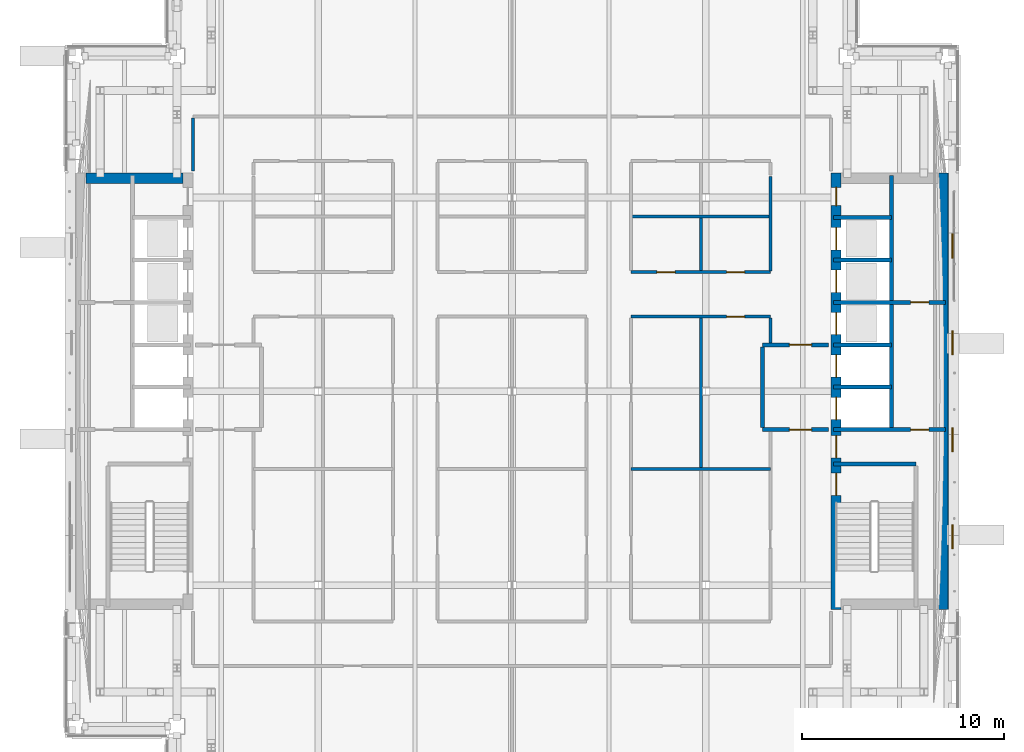
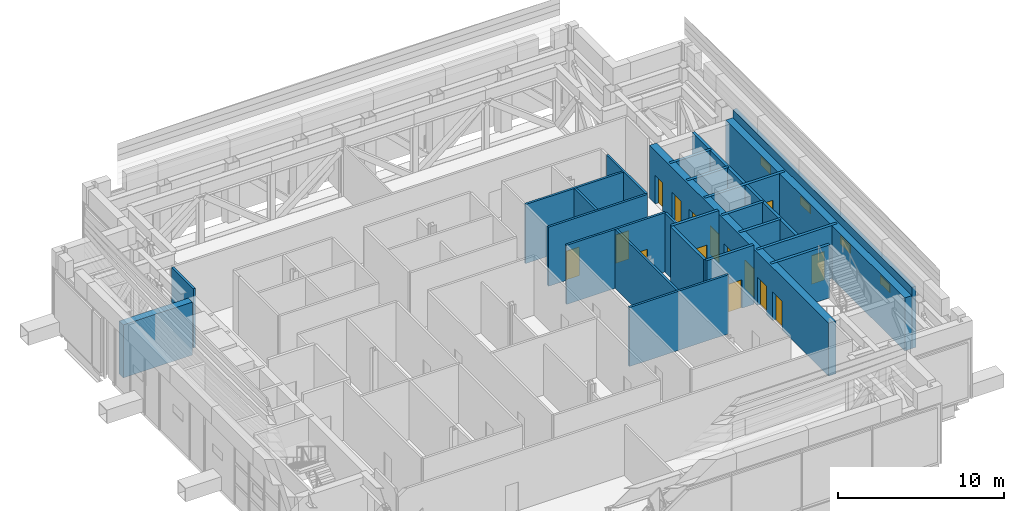
# One storey, part 13 of 29: 25 walls, 15 doors, 4 windows, 19 openings.
"""IFC4 building model written with IfcOpenShell, lengths in metres."""

from ifc_helpers import new_model, si_unit, direction, frame, frame_2d, origin, place, context, subcontext, project, spatial, rectangle, extrude, material, layer, layer_set, type_object, element, fill, save


model = new_model("IFC4")

# Units and contexts
model_context = context("Model", 3, precision=1e-05, world=origin(), true_north=direction((0.0, 1.0)))
body_context = subcontext(model_context, "Body", "Model", "MODEL_VIEW")
ifc_project = project(units=[si_unit("LENGTHUNIT", "METRE"), si_unit("AREAUNIT", "SQUARE_METRE"), si_unit("VOLUMEUNIT", "CUBIC_METRE"), si_unit("PLANEANGLEUNIT", "RADIAN"), si_unit("MASSUNIT", "GRAM", prefix="KILO")], contexts=[model_context])

# Site, building, storey
site_placement = place(None, origin())
site = spatial("IfcSite", under=ifc_project, at=site_placement, CompositionType="ELEMENT")
building_placement = place(site_placement, origin())
building = spatial("IfcBuilding", under=site, at=building_placement, Name="Cobrizo Arcos Hotel Tower", CompositionType="ELEMENT")
storey_placement = place(building_placement, frame((0.0, 0.0, 186.5)))
storey = spatial("IfcBuildingStorey", under=building, at=storey_placement, Name="L48", CompositionType="ELEMENT", Elevation=186.5)

# Wall
ifc_material_1 = material(Name="Gypsum board partition")
ifc_layer_1 = layer(ifc_material_1, 0.14990234375)
ifc_layer_set_1 = layer_set([ifc_layer_1], Name="Corridor wall EI 60 150")
wall_type_1 = type_object("IfcWallType", Name="Corridor wall EI 60 150", PredefinedType="PARTITIONING", material=ifc_layer_set_1)
wall_1_placement = place(storey_placement, frame((5.89990234375, -3.85009765625, 0.0), z_axis=(0.0, 0.0, 1.0), x_axis=(1.0, 0.0, 0.0)))
element("IfcWall", 1, at=wall_1_placement, inside=storey, type_object=wall_type_1, Name="Partition 007", PredefinedType="PARTITIONING", context=body_context, shape_type="SweptSolid", body=[
    extrude(rectangle(XDim=6.900146484375, YDim=0.14990234375, at=frame_2d((3.4501953125, 0.0))), origin(), (0.0, 0.0, 1.0), 4.35009765625),
])

# Wall, opening, door
wall_2_placement = place(storey_placement, frame((5.89990234375, 3.699951171875, 0.0), z_axis=(0.0, 0.0, 1.0), x_axis=(1.0, 0.0, 0.0)))
wall_2 = element("IfcWall", 2, at=wall_2_placement, inside=storey, type_object=wall_type_1, Name="Partition 022", PredefinedType="PARTITIONING", context=body_context, shape_type="SweptSolid", body=[
    extrude(rectangle(XDim=6.900146484375, YDim=0.14990234375, at=frame_2d((3.4501953125, 0.0))), origin(), (0.0, 0.0, 1.0), 4.35009765625),
])
opening_1_placement = place(wall_2_placement, frame((4.72509765625, 0.0, 0.0)))
opening_1 = element("IfcOpeningElement", 3, at=opening_1_placement, cuts=wall_2, Name="Opening RD-12", PredefinedType="OPENING", context=body_context, shape_type="SweptSolid", body=[
    extrude(rectangle(XDim=0.89990234375, YDim=2.10009765625, at=frame_2d((0.449951171875, 1.050048828125))), frame((0.0, 0.0869140625, 0.0), z_axis=(0.0, -1.0, 0.0), x_axis=(1.0, 0.0, 0.0)), (0.0, 0.0, 1.0), 0.173828125),
])
ifc_material_2 = material(Name="Timber door leaf", Category="wood")
door_type_1 = type_object("IfcDoorType", Name="Room door FD30 900x2100", OperationType="SINGLE_SWING_LEFT", PredefinedType="DOOR", material=ifc_material_2)
door_1_placement = place(opening_1_placement, origin())
door_1 = element("IfcDoor", 4, at=door_1_placement, inside=storey, type_object=door_type_1, Name="Door RD-12", OperationType="SINGLE_SWING_LEFT", OverallHeight=2.10009765625, OverallWidth=0.89990234375, PredefinedType="DOOR", context=body_context, shape_type="SweptSolid", body=[
    extrude(rectangle(XDim=0.89990234375, YDim=2.10009765625, at=frame_2d((0.449951171875, 1.050048828125))), frame((0.0, 0.02490234375, 0.0), z_axis=(0.0, -1.0, 0.0), x_axis=(1.0, 0.0, 0.0)), (0.0, 0.0, 1.0), 0.050048828125),
])
fill(opening_1, door_1)

# Wall, openings, doors
wall_3_placement = place(storey_placement, frame((5.89990234375, 5.89990234375, 0.0), z_axis=(0.0, 0.0, 1.0), x_axis=(1.0, 0.0, 0.0)))
wall_3 = element("IfcWall", 5, at=wall_3_placement, inside=storey, type_object=wall_type_1, Name="Partition 027", PredefinedType="PARTITIONING", context=body_context, shape_type="SweptSolid", body=[
    extrude(rectangle(XDim=6.900146484375, YDim=0.14990234375, at=frame_2d((3.4501953125, 0.0))), origin(), (0.0, 0.0, 1.0), 4.35009765625),
])
opening_2_placement = place(wall_3_placement, frame((1.27490234375, 0.0, 0.0)))
opening_2 = element("IfcOpeningElement", 6, at=opening_2_placement, cuts=wall_3, Name="Opening RD-13", PredefinedType="OPENING", context=body_context, shape_type="SweptSolid", body=[
    extrude(rectangle(XDim=0.89990234375, YDim=2.10009765625, at=frame_2d((0.449951171875, 1.050048828125))), frame((0.0, 0.0869140625, 0.0), z_axis=(0.0, -1.0, 0.0), x_axis=(1.0, 0.0, 0.0)), (0.0, 0.0, 1.0), 0.173828125),
])
opening_3_placement = place(wall_3_placement, frame((4.72509765625, 0.0, 0.0)))
opening_3 = element("IfcOpeningElement", 7, at=opening_3_placement, cuts=wall_3, Name="Opening RD-15", PredefinedType="OPENING", context=body_context, shape_type="SweptSolid", body=[
    extrude(rectangle(XDim=0.89990234375, YDim=2.10009765625, at=frame_2d((0.449951171875, 1.050048828125))), frame((0.0, 0.0869140625, 0.0), z_axis=(0.0, -1.0, 0.0), x_axis=(1.0, 0.0, 0.0)), (0.0, 0.0, 1.0), 0.173828125),
])
door_2_placement = place(opening_2_placement, origin())
door_2 = element("IfcDoor", 8, at=door_2_placement, inside=storey, type_object=door_type_1, Name="Door RD-13", OperationType="SINGLE_SWING_RIGHT", OverallHeight=2.10009765625, OverallWidth=0.89990234375, PredefinedType="DOOR", context=body_context, shape_type="SweptSolid", body=[
    extrude(rectangle(XDim=0.89990234375, YDim=2.10009765625, at=frame_2d((0.449951171875, 1.050048828125))), frame((0.0, 0.02490234375, 0.0), z_axis=(0.0, -1.0, 0.0), x_axis=(1.0, 0.0, 0.0)), (0.0, 0.0, 1.0), 0.050048828125),
])
fill(opening_2, door_2)
door_3_placement = place(opening_3_placement, origin())
door_3 = element("IfcDoor", 9, at=door_3_placement, inside=storey, type_object=door_type_1, Name="Door RD-15", OperationType="SINGLE_SWING_RIGHT", OverallHeight=2.10009765625, OverallWidth=0.89990234375, PredefinedType="DOOR", context=body_context, shape_type="SweptSolid", body=[
    extrude(rectangle(XDim=0.89990234375, YDim=2.10009765625, at=frame_2d((0.449951171875, 1.050048828125))), frame((0.0, 0.02490234375, 0.0), z_axis=(0.0, -1.0, 0.0), x_axis=(1.0, 0.0, 0.0)), (0.0, 0.0, 1.0), 0.050048828125),
])
fill(opening_3, door_3)

# Walls
wall_4_placement = place(storey_placement, frame((5.89990234375, 8.64990234375, 0.0), z_axis=(0.0, 0.0, 1.0), x_axis=(1.0, 0.0, 0.0)))
element("IfcWall", 10, at=wall_4_placement, inside=storey, type_object=wall_type_1, Name="Partition 034", PredefinedType="PARTITIONING", context=body_context, shape_type="SweptSolid", body=[
    extrude(rectangle(XDim=6.900146484375, YDim=0.14990234375, at=frame_2d((3.4501953125, 0.0))), origin(), (0.0, 0.0, 1.0), 4.35009765625),
])
wall_5_placement = place(storey_placement, frame((-15.800048828125, 10.919921875, 0.0), z_axis=(0.0, 0.0, 1.0), x_axis=(0.0, 1.0, 0.0)))
element("IfcWall", 11, at=wall_5_placement, inside=storey, type_object=wall_type_1, Name="Partition 044", PredefinedType="PARTITIONING", context=body_context, shape_type="SweptSolid", body=[
    extrude(rectangle(XDim=2.60498046875, YDim=0.14990234375, at=frame_2d((1.302490234375, 0.0))), origin(), (0.0, 0.0, 1.0), 4.35009765625),
])
wall_6_placement = place(storey_placement, frame((9.35009765625, -3.77490234375, 0.0), z_axis=(0.0, 0.0, 1.0), x_axis=(0.0, 1.0, 0.0)))
element("IfcWall", 12, at=wall_6_placement, inside=storey, type_object=wall_type_1, Name="Partition 077", PredefinedType="PARTITIONING", context=body_context, shape_type="SweptSolid", body=[
    extrude(rectangle(XDim=7.39990234375, YDim=0.14990234375, at=frame_2d((3.699951171875, 0.0))), origin(), (0.0, 0.0, 1.0), 4.35009765625),
])
wall_7_placement = place(storey_placement, frame((9.35009765625, 5.97509765625, 0.0), z_axis=(0.0, 0.0, 1.0), x_axis=(0.0, 1.0, 0.0)))
element("IfcWall", 13, at=wall_7_placement, inside=storey, type_object=wall_type_1, Name="Partition 078", PredefinedType="PARTITIONING", context=body_context, shape_type="SweptSolid", body=[
    extrude(rectangle(XDim=2.599853515625, YDim=0.14990234375, at=frame_2d((1.2998046875, 0.0))), origin(), (0.0, 0.0, 1.0), 4.35009765625),
])
wall_8_placement = place(storey_placement, frame((12.800048828125, 2.39990234375, 0.0), z_axis=(0.0, 0.0, 1.0), x_axis=(0.0, 1.0, 0.0)))
element("IfcWall", 14, at=wall_8_placement, inside=storey, type_object=wall_type_1, Name="Partition 082", PredefinedType="PARTITIONING", context=body_context, shape_type="SweptSolid", body=[
    extrude(rectangle(XDim=1.22509765625, YDim=0.14990234375, at=frame_2d((0.612548828125, 0.0))), origin(), (0.0, 0.0, 1.0), 4.35009765625),
])
wall_9_placement = place(storey_placement, frame((12.800048828125, 5.949951171875, 0.0), z_axis=(0.0, 0.0, 1.0), x_axis=(0.0, 1.0, 0.0)))
element("IfcWall", 15, at=wall_9_placement, inside=storey, type_object=wall_type_1, Name="Partition 083", PredefinedType="PARTITIONING", context=body_context, shape_type="SweptSolid", body=[
    extrude(rectangle(XDim=4.699951171875, YDim=0.14990234375, at=frame_2d((2.35009765625, 0.0))), origin(), (0.0, 0.0, 1.0), 4.35009765625),
])

# Wall, openings, windows
ifc_material_3 = material(Name="Aluminium composite panel pale metal", Category="aluminium")
ifc_layer_2 = layer(ifc_material_3, 0.27490234375)
ifc_layer_set_2 = layer_set([ifc_layer_2], Name="EW-1 insulated panel wall 275")
wall_type_2 = type_object("IfcWallType", Name="EW-1 insulated panel wall 275", PredefinedType="SOLIDWALL", material=ifc_layer_set_2)
wall_10_placement = place(storey_placement, frame((21.737548828125, -10.800048828125, 0.0), z_axis=(0.0, 0.0, 1.0), x_axis=(0.0, 1.0, 0.0)))
wall_10 = element("IfcWall", 16, at=wall_10_placement, inside=storey, type_object=wall_type_2, Name="Core face wall L48 E", PredefinedType="SOLIDWALL", context=body_context, shape_type="SweptSolid", body=[
    extrude(rectangle(XDim=21.60009765625, YDim=0.27490234375, at=frame_2d((10.800048828125, 0.0))), origin(), (0.0, 0.0, 1.0), 4.5),
])
opening_4_placement = place(wall_10_placement, frame((3.0, 0.0, 2.199951171875)))
opening_4 = element("IfcOpeningElement", 17, at=opening_4_placement, cuts=wall_10, Name="Opening W-103", PredefinedType="OPENING", context=body_context, shape_type="SweptSolid", body=[
    extrude(rectangle(XDim=1.199951171875, YDim=0.60009765625, at=frame_2d((0.60009765625, 0.300048828125))), frame((0.0, 0.1494140625, 0.0), z_axis=(0.0, -1.0, 0.0), x_axis=(1.0, 0.0, 0.0)), (0.0, 0.0, 1.0), 0.298828125),
])
opening_5_placement = place(wall_10_placement, frame((7.800048828125, 0.0, 2.199951171875)))
opening_5 = element("IfcOpeningElement", 18, at=opening_5_placement, cuts=wall_10, Name="Opening W-104", PredefinedType="OPENING", context=body_context, shape_type="SweptSolid", body=[
    extrude(rectangle(XDim=1.199951171875, YDim=0.60009765625, at=frame_2d((0.60009765625, 0.300048828125))), frame((0.0, 0.1494140625, 0.0), z_axis=(0.0, -1.0, 0.0), x_axis=(1.0, 0.0, 0.0)), (0.0, 0.0, 1.0), 0.298828125),
])
opening_6_placement = place(wall_10_placement, frame((12.60009765625, 0.0, 2.199951171875)))
opening_6 = element("IfcOpeningElement", 19, at=opening_6_placement, cuts=wall_10, Name="Opening W-105", PredefinedType="OPENING", context=body_context, shape_type="SweptSolid", body=[
    extrude(rectangle(XDim=1.199951171875, YDim=0.60009765625, at=frame_2d((0.60009765625, 0.300048828125))), frame((0.0, 0.1494140625, 0.0), z_axis=(0.0, -1.0, 0.0), x_axis=(1.0, 0.0, 0.0)), (0.0, 0.0, 1.0), 0.298828125),
])
opening_7_placement = place(wall_10_placement, frame((17.39990234375, 0.0, 2.199951171875)))
opening_7 = element("IfcOpeningElement", 20, at=opening_7_placement, cuts=wall_10, Name="Opening W-106", PredefinedType="OPENING", context=body_context, shape_type="SweptSolid", body=[
    extrude(rectangle(XDim=1.199951171875, YDim=0.60009765625, at=frame_2d((0.60009765625, 0.300048828125))), frame((0.0, 0.1494140625, 0.0), z_axis=(0.0, -1.0, 0.0), x_axis=(1.0, 0.0, 0.0)), (0.0, 0.0, 1.0), 0.298828125),
])
ifc_material_4 = material(Name="Aluminium 6063-T6 and clear laminated glass", Category="aluminium")
window_type = type_object("IfcWindowType", Name="W-S1 plant smoke-vent window 1200x600", PartitioningType="SINGLE_PANEL", PredefinedType="WINDOW", material=ifc_material_4)
window_1_placement = place(opening_4_placement, origin())
window_1 = element("IfcWindow", 21, at=window_1_placement, inside=storey, type_object=window_type, Name="Core face wall L48 E window W-103", OverallHeight=0.60009765625, OverallWidth=1.199951171875, PartitioningType="SINGLE_PANEL", PredefinedType="WINDOW", context=body_context, shape_type="SweptSolid", body=[
    extrude(rectangle(XDim=1.199951171875, YDim=0.60009765625, at=frame_2d((0.60009765625, 0.300048828125))), frame((0.0, -0.04736328125, 0.0), z_axis=(0.0, -1.0, 0.0), x_axis=(1.0, 0.0, 0.0)), (0.0, 0.0, 1.0), 0.06005859375),
])
fill(opening_4, window_1)
window_2_placement = place(opening_5_placement, origin())
window_2 = element("IfcWindow", 22, at=window_2_placement, inside=storey, type_object=window_type, Name="Core face wall L48 E window W-104", OverallHeight=0.60009765625, OverallWidth=1.199951171875, PartitioningType="SINGLE_PANEL", PredefinedType="WINDOW", context=body_context, shape_type="SweptSolid", body=[
    extrude(rectangle(XDim=1.199951171875, YDim=0.60009765625, at=frame_2d((0.60009765625, 0.300048828125))), frame((0.0, -0.04736328125, 0.0), z_axis=(0.0, -1.0, 0.0), x_axis=(1.0, 0.0, 0.0)), (0.0, 0.0, 1.0), 0.06005859375),
])
fill(opening_5, window_2)
window_3_placement = place(opening_6_placement, origin())
window_3 = element("IfcWindow", 23, at=window_3_placement, inside=storey, type_object=window_type, Name="Core face wall L48 E window W-105", OverallHeight=0.60009765625, OverallWidth=1.199951171875, PartitioningType="SINGLE_PANEL", PredefinedType="WINDOW", context=body_context, shape_type="SweptSolid", body=[
    extrude(rectangle(XDim=1.199951171875, YDim=0.60009765625, at=frame_2d((0.60009765625, 0.300048828125))), frame((0.0, -0.04736328125, 0.0), z_axis=(0.0, -1.0, 0.0), x_axis=(1.0, 0.0, 0.0)), (0.0, 0.0, 1.0), 0.06005859375),
])
fill(opening_6, window_3)
window_4_placement = place(opening_7_placement, origin())
window_4 = element("IfcWindow", 24, at=window_4_placement, inside=storey, type_object=window_type, Name="Core face wall L48 E window W-106", OverallHeight=0.60009765625, OverallWidth=1.199951171875, PartitioningType="SINGLE_PANEL", PredefinedType="WINDOW", context=body_context, shape_type="SweptSolid", body=[
    extrude(rectangle(XDim=1.199951171875, YDim=0.60009765625, at=frame_2d((0.60009765625, 0.300048828125))), frame((0.0, -0.04736328125, 0.0), z_axis=(0.0, -1.0, 0.0), x_axis=(1.0, 0.0, 0.0)), (0.0, 0.0, 1.0), 0.06005859375),
])
fill(opening_7, window_4)

# Wall, openings, doors
ifc_material_5 = material(Name="Concrete f'c 50 MPa", Category="concrete")
ifc_layer_3 = layer(ifc_material_5, 0.5)
ifc_layer_set_3 = layer_set([ifc_layer_3], Name="RC core wall 500 f'c 50")
wall_type_3 = type_object("IfcWallType", Name="RC core wall 500 f'c 50", PredefinedType="SHEAR", material=ifc_layer_set_3)
wall_11_placement = place(storey_placement, frame((16.050048828125, -10.800048828125, 0.0), z_axis=(0.0, 0.0, 1.0), x_axis=(0.0, 1.0, 0.0)))
wall_11 = element("IfcWall", 25, at=wall_11_placement, inside=storey, type_object=wall_type_3, Name="Core wall CW3, east core, inner face, L48", PredefinedType="SHEAR", context=body_context, shape_type="SweptSolid", body=[
    extrude(rectangle(XDim=21.60009765625, YDim=0.5, at=frame_2d((10.800048828125, 0.0))), origin(), (0.0, 0.0, 1.0), 3.89990234375),
])
opening_8_placement = place(wall_11_placement, frame((9.39990234375, 0.0, 0.0)))
opening_8 = element("IfcOpeningElement", 26, at=opening_8_placement, cuts=wall_11, Name="Opening LD-06", PredefinedType="OPENING", context=body_context, shape_type="SweptSolid", body=[
    extrude(rectangle(XDim=1.10009765625, YDim=2.10009765625, at=frame_2d((0.550048828125, 1.050048828125))), frame((0.0, 0.261962890625, 0.0), z_axis=(0.0, -1.0, 0.0), x_axis=(1.0, 0.0, 0.0)), (0.0, 0.0, 1.0), 0.52392578125),
])
opening_9_placement = place(wall_11_placement, frame((11.5, 0.0, 0.0)))
opening_9 = element("IfcOpeningElement", 27, at=opening_9_placement, cuts=wall_11, Name="Opening LD-07", PredefinedType="OPENING", context=body_context, shape_type="SweptSolid", body=[
    extrude(rectangle(XDim=1.10009765625, YDim=2.10009765625, at=frame_2d((0.550048828125, 1.050048828125))), frame((0.0, 0.261962890625, 0.0), z_axis=(0.0, -1.0, 0.0), x_axis=(1.0, 0.0, 0.0)), (0.0, 0.0, 1.0), 0.52392578125),
])
opening_10_placement = place(wall_11_placement, frame((13.60009765625, 0.0, 0.0)))
opening_10 = element("IfcOpeningElement", 28, at=opening_10_placement, cuts=wall_11, Name="Opening LD-08", PredefinedType="OPENING", context=body_context, shape_type="SweptSolid", body=[
    extrude(rectangle(XDim=1.10009765625, YDim=2.10009765625, at=frame_2d((0.550048828125, 1.050048828125))), frame((0.0, 0.261962890625, 0.0), z_axis=(0.0, -1.0, 0.0), x_axis=(1.0, 0.0, 0.0)), (0.0, 0.0, 1.0), 0.52392578125),
])
opening_11_placement = place(wall_11_placement, frame((15.699951171875, 0.0, 0.0)))
opening_11 = element("IfcOpeningElement", 29, at=opening_11_placement, cuts=wall_11, Name="Opening LD-09", PredefinedType="OPENING", context=body_context, shape_type="SweptSolid", body=[
    extrude(rectangle(XDim=1.10009765625, YDim=2.10009765625, at=frame_2d((0.550048828125, 1.050048828125))), frame((0.0, 0.261962890625, 0.0), z_axis=(0.0, -1.0, 0.0), x_axis=(1.0, 0.0, 0.0)), (0.0, 0.0, 1.0), 0.52392578125),
])
opening_12_placement = place(wall_11_placement, frame((17.800048828125, 0.0, 0.0)))
opening_12 = element("IfcOpeningElement", 30, at=opening_12_placement, cuts=wall_11, Name="Opening LD-10", PredefinedType="OPENING", context=body_context, shape_type="SweptSolid", body=[
    extrude(rectangle(XDim=1.10009765625, YDim=2.10009765625, at=frame_2d((0.550048828125, 1.050048828125))), frame((0.0, 0.261962890625, 0.0), z_axis=(0.0, -1.0, 0.0), x_axis=(1.0, 0.0, 0.0)), (0.0, 0.0, 1.0), 0.52392578125),
])
opening_13_placement = place(wall_11_placement, frame((5.64208984375, 0.0, 0.0)))
opening_13 = element("IfcOpeningElement", 31, at=opening_13_placement, cuts=wall_11, Name="Opening SD-02", PredefinedType="OPENING", context=body_context, shape_type="SweptSolid", body=[
    extrude(rectangle(XDim=1.10009765625, YDim=2.10009765625, at=frame_2d((0.550048828125, 1.050048828125))), frame((0.0, 0.261962890625, 0.0), z_axis=(0.0, -1.0, 0.0), x_axis=(1.0, 0.0, 0.0)), (0.0, 0.0, 1.0), 0.52392578125),
])
opening_14_placement = place(wall_11_placement, frame((7.5, 0.0, 0.0)))
opening_14 = element("IfcOpeningElement", 32, at=opening_14_placement, cuts=wall_11, Name="Opening FD-04", PredefinedType="OPENING", context=body_context, shape_type="SweptSolid", body=[
    extrude(rectangle(XDim=1.10009765625, YDim=2.10009765625, at=frame_2d((0.550048828125, 1.050048828125))), frame((0.0, 0.261962890625, 0.0), z_axis=(0.0, -1.0, 0.0), x_axis=(1.0, 0.0, 0.0)), (0.0, 0.0, 1.0), 0.52392578125),
])
opening_15_placement = place(wall_11_placement, frame((20.0, 0.0, 0.0)))
opening_15 = element("IfcOpeningElement", 33, at=opening_15_placement, cuts=wall_11, Name="Opening RD-04", PredefinedType="OPENING", context=body_context, shape_type="SweptSolid", body=[
    extrude(rectangle(XDim=0.89990234375, YDim=2.10009765625, at=frame_2d((0.449951171875, 1.050048828125))), frame((0.0, 0.261962890625, 0.0), z_axis=(0.0, -1.0, 0.0), x_axis=(1.0, 0.0, 0.0)), (0.0, 0.0, 1.0), 0.52392578125),
])
ifc_material_6 = material(Name="Steel door leaf", Category="steel")
door_type_2 = type_object("IfcDoorType", Name="Fire door FD60 1100x2100", OperationType="SINGLE_SWING_LEFT", PredefinedType="DOOR", material=ifc_material_6)
door_4_placement = place(opening_14_placement, origin())
door_4 = element("IfcDoor", 34, at=door_4_placement, inside=storey, type_object=door_type_2, Name="Door FD-04", OperationType="SINGLE_SWING_RIGHT", OverallHeight=2.10009765625, OverallWidth=1.10009765625, PredefinedType="DOOR", context=body_context, shape_type="SweptSolid", body=[
    extrude(rectangle(XDim=1.10009765625, YDim=2.10009765625, at=frame_2d((0.550048828125, 1.050048828125))), frame((0.0, 0.02490234375, 0.0), z_axis=(0.0, -1.0, 0.0), x_axis=(1.0, 0.0, 0.0)), (0.0, 0.0, 1.0), 0.050048828125),
])
fill(opening_14, door_4)
door_type_3 = type_object("IfcDoorType", Name="Lift landing door 1100x2100", OperationType="SLIDING_TO_LEFT", PredefinedType="DOOR", material=ifc_material_6)
door_5_placement = place(opening_8_placement, origin())
door_5 = element("IfcDoor", 35, at=door_5_placement, inside=storey, type_object=door_type_3, Name="Lift landing door LD-06", OperationType="SLIDING_TO_LEFT", OverallHeight=2.10009765625, OverallWidth=1.10009765625, PredefinedType="DOOR", context=body_context, shape_type="SweptSolid", body=[
    extrude(rectangle(XDim=1.10009765625, YDim=2.10009765625, at=frame_2d((0.550048828125, 1.050048828125))), frame((0.0, 0.02490234375, 0.0), z_axis=(0.0, -1.0, 0.0), x_axis=(1.0, 0.0, 0.0)), (0.0, 0.0, 1.0), 0.050048828125),
])
fill(opening_8, door_5)
door_6_placement = place(opening_9_placement, origin())
door_6 = element("IfcDoor", 36, at=door_6_placement, inside=storey, type_object=door_type_3, Name="Lift landing door LD-07", OperationType="SLIDING_TO_LEFT", OverallHeight=2.10009765625, OverallWidth=1.10009765625, PredefinedType="DOOR", context=body_context, shape_type="SweptSolid", body=[
    extrude(rectangle(XDim=1.10009765625, YDim=2.10009765625, at=frame_2d((0.550048828125, 1.050048828125))), frame((0.0, 0.02490234375, 0.0), z_axis=(0.0, -1.0, 0.0), x_axis=(1.0, 0.0, 0.0)), (0.0, 0.0, 1.0), 0.050048828125),
])
fill(opening_9, door_6)
door_7_placement = place(opening_10_placement, origin())
door_7 = element("IfcDoor", 37, at=door_7_placement, inside=storey, type_object=door_type_3, Name="Lift landing door LD-08", OperationType="SLIDING_TO_LEFT", OverallHeight=2.10009765625, OverallWidth=1.10009765625, PredefinedType="DOOR", context=body_context, shape_type="SweptSolid", body=[
    extrude(rectangle(XDim=1.10009765625, YDim=2.10009765625, at=frame_2d((0.550048828125, 1.050048828125))), frame((0.0, 0.02490234375, 0.0), z_axis=(0.0, -1.0, 0.0), x_axis=(1.0, 0.0, 0.0)), (0.0, 0.0, 1.0), 0.050048828125),
])
fill(opening_10, door_7)
door_8_placement = place(opening_11_placement, origin())
door_8 = element("IfcDoor", 38, at=door_8_placement, inside=storey, type_object=door_type_3, Name="Lift landing door LD-09", OperationType="SLIDING_TO_LEFT", OverallHeight=2.10009765625, OverallWidth=1.10009765625, PredefinedType="DOOR", context=body_context, shape_type="SweptSolid", body=[
    extrude(rectangle(XDim=1.10009765625, YDim=2.10009765625, at=frame_2d((0.550048828125, 1.050048828125))), frame((0.0, 0.02490234375, 0.0), z_axis=(0.0, -1.0, 0.0), x_axis=(1.0, 0.0, 0.0)), (0.0, 0.0, 1.0), 0.050048828125),
])
fill(opening_11, door_8)
door_9_placement = place(opening_12_placement, origin())
door_9 = element("IfcDoor", 39, at=door_9_placement, inside=storey, type_object=door_type_3, Name="Lift landing door LD-10", OperationType="SLIDING_TO_LEFT", OverallHeight=2.10009765625, OverallWidth=1.10009765625, PredefinedType="DOOR", context=body_context, shape_type="SweptSolid", body=[
    extrude(rectangle(XDim=1.10009765625, YDim=2.10009765625, at=frame_2d((0.550048828125, 1.050048828125))), frame((0.0, 0.02490234375, 0.0), z_axis=(0.0, -1.0, 0.0), x_axis=(1.0, 0.0, 0.0)), (0.0, 0.0, 1.0), 0.050048828125),
])
fill(opening_12, door_9)
door_10_placement = place(opening_15_placement, origin())
door_10 = element("IfcDoor", 40, at=door_10_placement, inside=storey, type_object=door_type_1, Name="Door RD-04", OperationType="SINGLE_SWING_LEFT", OverallHeight=2.10009765625, OverallWidth=0.89990234375, PredefinedType="DOOR", context=body_context, shape_type="SweptSolid", body=[
    extrude(rectangle(XDim=0.89990234375, YDim=2.10009765625, at=frame_2d((0.449951171875, 1.050048828125))), frame((0.0, 0.02490234375, 0.0), z_axis=(0.0, -1.0, 0.0), x_axis=(1.0, 0.0, 0.0)), (0.0, 0.0, 1.0), 0.050048828125),
])
fill(opening_15, door_10)
door_type_4 = type_object("IfcDoorType", Name="Stair door FD60S 1100x2100", OperationType="SINGLE_SWING_LEFT", PredefinedType="DOOR", material=ifc_material_6)
door_11_placement = place(opening_13_placement, origin())
door_11 = element("IfcDoor", 41, at=door_11_placement, inside=storey, type_object=door_type_4, Name="Door SD-02", OperationType="SINGLE_SWING_LEFT", OverallHeight=2.10009765625, OverallWidth=1.10009765625, PredefinedType="DOOR", context=body_context, shape_type="SweptSolid", body=[
    extrude(rectangle(XDim=1.10009765625, YDim=2.10009765625, at=frame_2d((0.550048828125, 1.050048828125))), frame((0.0, 0.02490234375, 0.0), z_axis=(0.0, -1.0, 0.0), x_axis=(1.0, 0.0, 0.0)), (0.0, 0.0, 1.0), 0.050048828125),
])
fill(opening_13, door_11)

# Walls
wall_12_placement = place(storey_placement, frame((21.35009765625, -10.800048828125, 0.0), z_axis=(0.0, 0.0, 1.0), x_axis=(0.0, 1.0, 0.0)))
element("IfcWall", 42, at=wall_12_placement, inside=storey, type_object=wall_type_3, Name="Core wall CW3, east core, outer face, L48", PredefinedType="SHEAR", context=body_context, shape_type="SweptSolid", body=[
    extrude(rectangle(XDim=21.60009765625, YDim=0.5, at=frame_2d((10.800048828125, 0.0))), origin(), (0.0, 0.0, 1.0), 3.89990234375),
])
wall_13_placement = place(storey_placement, frame((-21.10009765625, 10.550048828125, 0.0), z_axis=(0.0, 0.0, 1.0), x_axis=(1.0, 0.0, 0.0)))
element("IfcWall", 43, at=wall_13_placement, inside=storey, type_object=wall_type_3, Name="Core wall CW3, west core, north end, L48", PredefinedType="SHEAR", context=body_context, shape_type="SweptSolid", body=[
    extrude(rectangle(XDim=4.800048828125, YDim=0.5, at=frame_2d((2.39990234375, 0.0))), origin(), (0.0, 0.0, 1.0), 3.89990234375),
])

# Wall, opening, door
ifc_layer_4 = layer(ifc_material_1, 0.199951171875)
ifc_layer_set_4 = layer_set([ifc_layer_4], Name="Shaft wall EI 120 200")
wall_type_4 = type_object("IfcWallType", Name="Shaft wall EI 120 200", PredefinedType="PARTITIONING", material=ifc_layer_set_4)
wall_14_placement = place(storey_placement, frame((12.39990234375, -1.89990234375, 0.0), z_axis=(0.0, 0.0, 1.0), x_axis=(1.0, 0.0, 0.0)))
wall_14 = element("IfcWall", 44, at=wall_14_placement, inside=storey, type_object=wall_type_4, Name="Partition 012", PredefinedType="PARTITIONING", context=body_context, shape_type="SweptSolid", body=[
    extrude(rectangle(XDim=3.280029296875, YDim=0.199951171875, at=frame_2d((1.64013671875, 0.0))), origin(), (0.0, 0.0, 1.0), 4.35009765625),
])
opening_16_placement = place(wall_14_placement, frame((1.340087890625, 0.0, 0.0)))
opening_16 = element("IfcOpeningElement", 45, at=opening_16_placement, cuts=wall_14, Name="Opening FD-06", PredefinedType="OPENING", context=body_context, shape_type="SweptSolid", body=[
    extrude(rectangle(XDim=1.10009765625, YDim=2.10009765625, at=frame_2d((0.550048828125, 1.050048828125))), frame((0.0, 0.112060546875, 0.0), z_axis=(0.0, -1.0, 0.0), x_axis=(1.0, 0.0, 0.0)), (0.0, 0.0, 1.0), 0.223876953125),
])
door_12_placement = place(opening_16_placement, origin())
door_12 = element("IfcDoor", 46, at=door_12_placement, inside=storey, type_object=door_type_2, Name="Door FD-06", OperationType="SINGLE_SWING_LEFT", OverallHeight=2.10009765625, OverallWidth=1.10009765625, PredefinedType="DOOR", context=body_context, shape_type="SweptSolid", body=[
    extrude(rectangle(XDim=1.10009765625, YDim=2.10009765625, at=frame_2d((0.550048828125, 1.050048828125))), frame((0.0, 0.02490234375, 0.0), z_axis=(0.0, -1.0, 0.0), x_axis=(1.0, 0.0, 0.0)), (0.0, 0.0, 1.0), 0.050048828125),
])
fill(opening_16, door_12)

wall_15_placement = place(storey_placement, frame((15.919921875, -1.89990234375, 0.0), z_axis=(0.0, 0.0, 1.0), x_axis=(1.0, 0.0, 0.0)))
wall_15 = element("IfcWall", 47, at=wall_15_placement, inside=storey, type_object=wall_type_4, Name="Partition 013", PredefinedType="PARTITIONING", context=body_context, shape_type="SweptSolid", body=[
    extrude(rectangle(XDim=5.56005859375, YDim=0.199951171875, at=frame_2d((2.780029296875, 0.0))), origin(), (0.0, 0.0, 1.0), 3.89990234375),
])
opening_17_placement = place(wall_15_placement, frame((3.830078125, 0.0, 0.0)))
opening_17 = element("IfcOpeningElement", 48, at=opening_17_placement, cuts=wall_15, Name="Opening RD-05", PredefinedType="OPENING", context=body_context, shape_type="SweptSolid", body=[
    extrude(rectangle(XDim=0.89990234375, YDim=2.10009765625, at=frame_2d((0.449951171875, 1.050048828125))), frame((0.0, 0.112060546875, 0.0), z_axis=(0.0, -1.0, 0.0), x_axis=(1.0, 0.0, 0.0)), (0.0, 0.0, 1.0), 0.223876953125),
])
door_13_placement = place(opening_17_placement, origin())
door_13 = element("IfcDoor", 49, at=door_13_placement, inside=storey, type_object=door_type_1, Name="Door RD-05", OperationType="SINGLE_SWING_LEFT", OverallHeight=2.10009765625, OverallWidth=0.89990234375, PredefinedType="DOOR", context=body_context, shape_type="SweptSolid", body=[
    extrude(rectangle(XDim=0.89990234375, YDim=2.10009765625, at=frame_2d((0.449951171875, 1.050048828125))), frame((0.0, 0.02490234375, 0.0), z_axis=(0.0, -1.0, 0.0), x_axis=(1.0, 0.0, 0.0)), (0.0, 0.0, 1.0), 0.050048828125),
])
fill(opening_17, door_13)

# Wall
wall_16_placement = place(storey_placement, frame((15.919921875, 0.199951171875, 0.0), z_axis=(0.0, 0.0, 1.0), x_axis=(1.0, 0.0, 0.0)))
element("IfcWall", 50, at=wall_16_placement, inside=storey, type_object=wall_type_4, Name="Partition 015", PredefinedType="PARTITIONING", context=body_context, shape_type="SweptSolid", body=[
    extrude(rectangle(XDim=2.880126953125, YDim=0.199951171875, at=frame_2d((1.43994140625, 0.0))), origin(), (0.0, 0.0, 1.0), 3.89990234375),
])

# Wall, opening, door
wall_17_placement = place(storey_placement, frame((12.39990234375, 2.300048828125, 0.0), z_axis=(0.0, 0.0, 1.0), x_axis=(1.0, 0.0, 0.0)))
wall_17 = element("IfcWall", 51, at=wall_17_placement, inside=storey, type_object=wall_type_4, Name="Partition 018", PredefinedType="PARTITIONING", context=body_context, shape_type="SweptSolid", body=[
    extrude(rectangle(XDim=3.280029296875, YDim=0.199951171875, at=frame_2d((1.64013671875, 0.0))), origin(), (0.0, 0.0, 1.0), 4.35009765625),
])
opening_18_placement = place(wall_17_placement, frame((1.340087890625, 0.0, 0.0)))
opening_18 = element("IfcOpeningElement", 52, at=opening_18_placement, cuts=wall_17, Name="Opening FD-05", PredefinedType="OPENING", context=body_context, shape_type="SweptSolid", body=[
    extrude(rectangle(XDim=1.10009765625, YDim=2.10009765625, at=frame_2d((0.550048828125, 1.050048828125))), frame((0.0, 0.112060546875, 0.0), z_axis=(0.0, -1.0, 0.0), x_axis=(1.0, 0.0, 0.0)), (0.0, 0.0, 1.0), 0.223876953125),
])
door_14_placement = place(opening_18_placement, origin())
door_14 = element("IfcDoor", 53, at=door_14_placement, inside=storey, type_object=door_type_2, Name="Door FD-05", OperationType="SINGLE_SWING_LEFT", OverallHeight=2.10009765625, OverallWidth=1.10009765625, PredefinedType="DOOR", context=body_context, shape_type="SweptSolid", body=[
    extrude(rectangle(XDim=1.10009765625, YDim=2.10009765625, at=frame_2d((0.550048828125, 1.050048828125))), frame((0.0, 0.02490234375, 0.0), z_axis=(0.0, -1.0, 0.0), x_axis=(1.0, 0.0, 0.0)), (0.0, 0.0, 1.0), 0.050048828125),
])
fill(opening_18, door_14)

# Wall
wall_18_placement = place(storey_placement, frame((15.919921875, 2.300048828125, 0.0), z_axis=(0.0, 0.0, 1.0), x_axis=(1.0, 0.0, 0.0)))
element("IfcWall", 54, at=wall_18_placement, inside=storey, type_object=wall_type_4, Name="Partition 019", PredefinedType="PARTITIONING", context=body_context, shape_type="SweptSolid", body=[
    extrude(rectangle(XDim=2.880126953125, YDim=0.199951171875, at=frame_2d((1.43994140625, 0.0))), origin(), (0.0, 0.0, 1.0), 3.89990234375),
])

# Wall, opening, door
wall_19_placement = place(storey_placement, frame((15.919921875, 4.39990234375, 0.0), z_axis=(0.0, 0.0, 1.0), x_axis=(1.0, 0.0, 0.0)))
wall_19 = element("IfcWall", 55, at=wall_19_placement, inside=storey, type_object=wall_type_4, Name="Partition 024", PredefinedType="PARTITIONING", context=body_context, shape_type="SweptSolid", body=[
    extrude(rectangle(XDim=5.56005859375, YDim=0.199951171875, at=frame_2d((2.780029296875, 0.0))), origin(), (0.0, 0.0, 1.0), 3.89990234375),
])
opening_19_placement = place(wall_19_placement, frame((3.830078125, 0.0, 0.0)))
opening_19 = element("IfcOpeningElement", 56, at=opening_19_placement, cuts=wall_19, Name="Opening RD-06", PredefinedType="OPENING", context=body_context, shape_type="SweptSolid", body=[
    extrude(rectangle(XDim=0.89990234375, YDim=2.10009765625, at=frame_2d((0.449951171875, 1.050048828125))), frame((0.0, 0.112060546875, 0.0), z_axis=(0.0, -1.0, 0.0), x_axis=(1.0, 0.0, 0.0)), (0.0, 0.0, 1.0), 0.223876953125),
])
door_15_placement = place(opening_19_placement, origin())
door_15 = element("IfcDoor", 57, at=door_15_placement, inside=storey, type_object=door_type_1, Name="Door RD-06", OperationType="SINGLE_SWING_LEFT", OverallHeight=2.10009765625, OverallWidth=0.89990234375, PredefinedType="DOOR", context=body_context, shape_type="SweptSolid", body=[
    extrude(rectangle(XDim=0.89990234375, YDim=2.10009765625, at=frame_2d((0.449951171875, 1.050048828125))), frame((0.0, 0.02490234375, 0.0), z_axis=(0.0, -1.0, 0.0), x_axis=(1.0, 0.0, 0.0)), (0.0, 0.0, 1.0), 0.050048828125),
])
fill(opening_19, door_15)

# Walls
for number, where, z_axis, x_axis, name in (
    (58, (15.919921875, 6.5, 0.0), (0.0, 0.0, 1.0), (1.0, 0.0, 0.0), "Partition 029"),
    (59, (15.919921875, 8.60009765625, 0.0), (0.0, 0.0, 1.0), (1.0, 0.0, 0.0), "Partition 031"),
):
    element("IfcWall", number, at=place(storey_placement, frame(where, z_axis=z_axis, x_axis=x_axis)), inside=storey, type_object=wall_type_4, Name=name, PredefinedType="PARTITIONING", context=body_context, shape_type="SweptSolid", body=[
        extrude(rectangle(XDim=2.880126953125, YDim=0.199951171875, at=frame_2d((1.43994140625, 0.0))), origin(), (0.0, 0.0, 1.0), 3.89990234375),
    ])
wall_20_placement = place(storey_placement, frame((12.39990234375, -1.800048828125, 0.0), z_axis=(0.0, 0.0, 1.0), x_axis=(0.0, 1.0, 0.0)))
element("IfcWall", 60, at=wall_20_placement, inside=storey, type_object=wall_type_4, Name="Partition 080", PredefinedType="PARTITIONING", context=body_context, shape_type="SweptSolid", body=[
    extrude(rectangle(XDim=4.0, YDim=0.199951171875, at=frame_2d((2.0, 0.0))), origin(), (0.0, 0.0, 1.0), 4.35009765625),
])
wall_21_placement = place(storey_placement, frame((18.800048828125, -1.800048828125, 0.0), z_axis=(0.0, 0.0, 1.0), x_axis=(0.0, 1.0, 0.0)))
element("IfcWall", 61, at=wall_21_placement, inside=storey, type_object=wall_type_4, Name="Partition 087", PredefinedType="PARTITIONING", context=body_context, shape_type="SweptSolid", body=[
    extrude(rectangle(XDim=6.10009765625, YDim=0.199951171875, at=frame_2d((3.050048828125, 0.0))), origin(), (0.0, 0.0, 1.0), 3.89990234375),
])
wall_22_placement = place(storey_placement, frame((18.800048828125, 4.5, 0.0), z_axis=(0.0, 0.0, 1.0), x_axis=(0.0, 1.0, 0.0)))
element("IfcWall", 62, at=wall_22_placement, inside=storey, type_object=wall_type_4, Name="Partition 088", PredefinedType="PARTITIONING", context=body_context, shape_type="SweptSolid", body=[
    extrude(rectangle(XDim=6.179931640625, YDim=0.199951171875, at=frame_2d((3.08984375, 0.0))), origin(), (0.0, 0.0, 1.0), 3.89990234375),
])
ifc_material_7 = material(Name="Concrete f'c 40 MPa", Category="concrete")
ifc_layer_5 = layer(ifc_material_7, 0.199951171875)
ifc_layer_set_5 = layer_set([ifc_layer_5], Name="Stair shaft wall 200")
wall_type_5 = type_object("IfcWallType", Name="Stair shaft wall 200", PredefinedType="SHEAR", material=ifc_layer_set_5)
wall_23_placement = place(storey_placement, frame((15.919921875, -3.60009765625, 0.0), z_axis=(0.0, 0.0, 1.0), x_axis=(1.0, 0.0, 0.0)))
element("IfcWall", 63, at=wall_23_placement, inside=storey, type_object=wall_type_5, Name="Stair shaft wall E", PredefinedType="SHEAR", context=body_context, shape_type="SweptSolid", body=[
    extrude(rectangle(XDim=4.080078125, YDim=0.199951171875, at=frame_2d((2.0400390625, 0.0))), origin(), (0.0, 0.0, 1.0), 3.89990234375),
])

save(model, "model.ifc")
